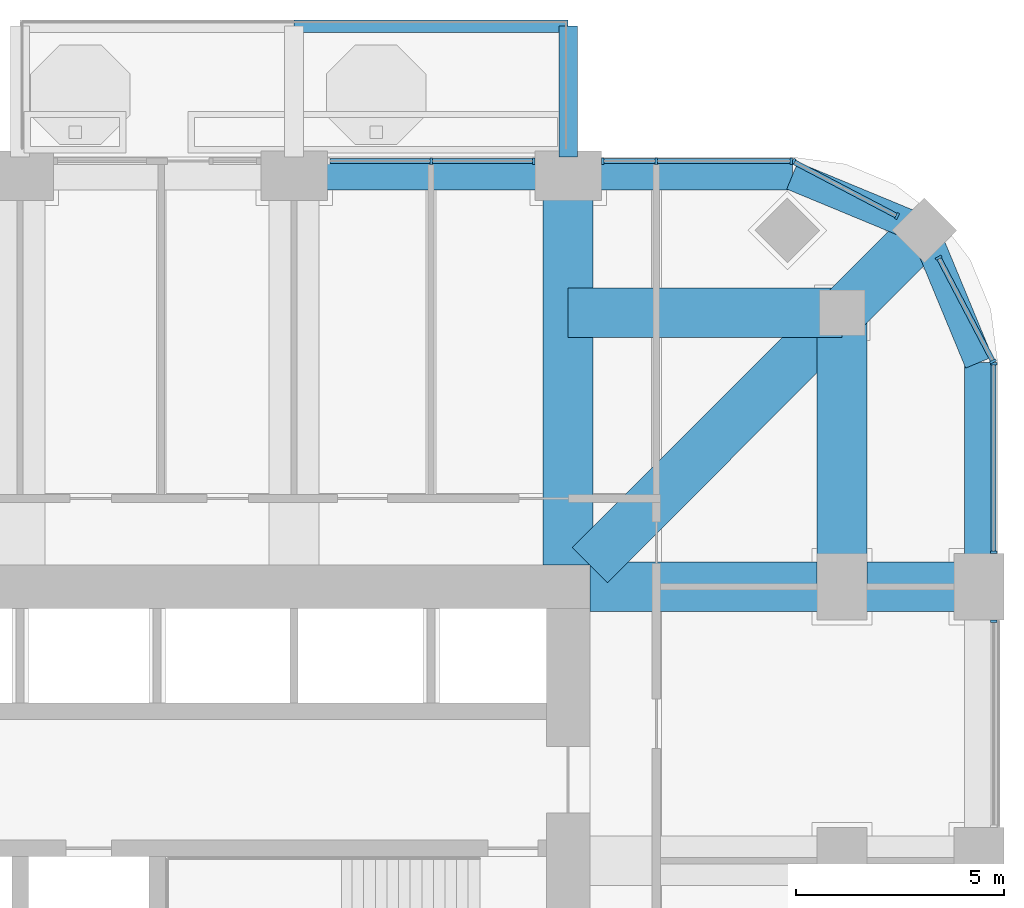
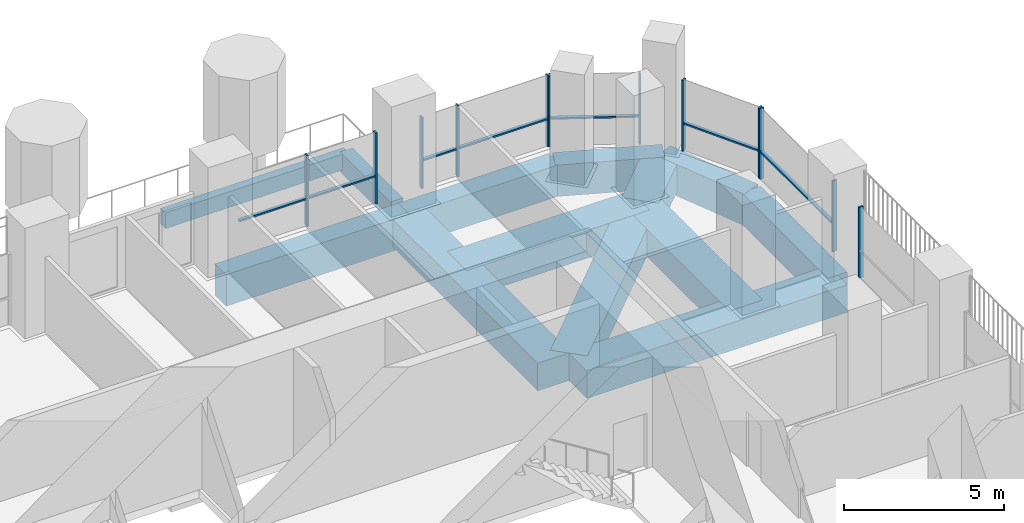
# One storey, part 7 of 19: 19 members, 13 beams, 6 elements without a shape of their own.
"""IFC4 building model written with IfcOpenShell, lengths in metres."""

from ifc_helpers import new_model, si_unit, direction, frame, origin, origin_2d, place, context, subcontext, project, spatial, rectangle, extrude, material, material_profile, profile_set, type_object, element, aggregate, save


model = new_model("IFC4")

# Units and contexts
model_context = context("Model", 3, precision=1e-05, world=origin(), true_north=direction((0.0, 1.0)))
body_context = subcontext(model_context, "Body", "Model", "MODEL_VIEW")
ifc_project = project(units=[si_unit("LENGTHUNIT", "METRE"), si_unit("AREAUNIT", "SQUARE_METRE"), si_unit("VOLUMEUNIT", "CUBIC_METRE"), si_unit("PLANEANGLEUNIT", "RADIAN"), si_unit("MASSUNIT", "GRAM", prefix="KILO")], contexts=[model_context])

# Site, building, storey
site_placement = place(None, origin())
site = spatial("IfcSite", under=ifc_project, at=site_placement, CompositionType="ELEMENT")
building_placement = place(site_placement, origin())
building = spatial("IfcBuilding", under=site, at=building_placement, Name="Cobogo Forest Laboratory Tower", CompositionType="ELEMENT")
storey_placement = place(building_placement, frame((0.0, 0.0, 172.5)))
storey = spatial("IfcBuildingStorey", under=building, at=storey_placement, Name="L39", CompositionType="ELEMENT", Elevation=172.5)

# Beams
ifc_material_1 = material(Name="Concrete HA-40 (C40/50)", Category="concrete")
ifc_material_profile_1 = material_profile(ifc_material_1, rectangle(XDim=0.449951171875, YDim=0.75, at=origin_2d()), Name="RC 450x750")
ifc_profile_set_1 = profile_set([ifc_material_profile_1], Name="Concrete HA-40 (C40/50)")
beam_type_1 = type_object("IfcBeamType", Name="Balcony cantilever beam 450x750", PredefinedType="BEAM", material=ifc_profile_set_1)
beam_1_placement = place(storey_placement, frame((39.60009765625, 43.35009765625, -0.625), z_axis=(0.0, 1.0, 0.0), x_axis=(-1.0, 0.0, 0.0)))
element("IfcBeam", 1, at=beam_1_placement, inside=storey, type_object=beam_type_1, Name="CB1 BAL-N1-C3 L39", PredefinedType="BEAM", context=body_context, shape_type="SweptSolid", body=[
    extrude(rectangle(XDim=0.449951171875, YDim=0.75, at=origin_2d()), origin(), (0.0, 0.0, 1.0), 3.14990234375),
])
ifc_material_profile_2 = material_profile(ifc_material_1, rectangle(XDim=0.300048828125, YDim=0.60009765625, at=origin_2d()), Name="RC 300x600")
ifc_profile_set_2 = profile_set([ifc_material_profile_2], Name="Concrete HA-40 (C40/50)")
beam_type_2 = type_object("IfcBeamType", Name="Balcony edge beam 300x600", PredefinedType="BEAM", material=ifc_profile_set_2)
beam_2_placement = place(storey_placement, frame((33.0, 46.5, -0.550048828125), z_axis=(1.0, 0.0, 0.0), x_axis=(0.0, 1.0, 0.0)))
element("IfcBeam", 2, at=beam_2_placement, inside=storey, type_object=beam_type_2, Name="BB1 BAL-N1-T2 L39", PredefinedType="BEAM", context=body_context, shape_type="SweptSolid", body=[
    extrude(rectangle(XDim=0.300048828125, YDim=0.60009765625, at=origin_2d()), origin(), (0.0, 0.0, 1.0), 6.60009765625),
])
ifc_material_profile_3 = material_profile(ifc_material_1, rectangle(XDim=1.199951171875, YDim=1.050048828125, at=origin_2d()), Name="RC 1200x1050")
ifc_profile_set_3 = profile_set([ifc_material_profile_3], Name="Concrete HA-40 (C40/50)")
beam_type_3 = type_object("IfcBeamType", Name="Laboratory floor wide beam 1200x1050", PredefinedType="BEAM", material=ifc_profile_set_3)
for number, where, z_axis, x_axis, name in (
    (3, (39.60009765625, 33.52490234375, -0.824951171875), (0.0, 1.0, 0.0), (-1.0, 0.0, 0.0), "RB1 R-7-N L39"),
    (4, (40.125, 33.0, -0.824951171875), (1.0, 0.0, 0.0), (0.0, 1.0, 0.0), "RB1 R-F-E L39"),
):
    element("IfcBeam", number, at=place(storey_placement, frame(where, z_axis=z_axis, x_axis=x_axis)), inside=storey, type_object=beam_type_3, Name=name, PredefinedType="BEAM", context=body_context, shape_type="SweptSolid", body=[
        extrude(rectangle(XDim=1.199951171875, YDim=1.050048828125, at=origin_2d()), origin(), (0.0, 0.0, 1.0), 9.375),
    ])
beam_3_placement = place(storey_placement, frame((46.199951171875, 39.60009765625, -0.824951171875), z_axis=(0.0, -1.0, 0.0), x_axis=(1.0, 0.0, 0.0)))
element("IfcBeam", 5, at=beam_3_placement, inside=storey, type_object=beam_type_3, Name="RB1 G-NE-XC L39", PredefinedType="BEAM", context=body_context, shape_type="SweptSolid", body=[
    extrude(rectangle(XDim=1.199951171875, YDim=1.050048828125, at=origin_2d()), origin(), (0.0, 0.0, 1.0), 6.60009765625),
])
beam_4_placement = place(storey_placement, frame((46.199951171875, 39.60009765625, -0.824951171875), z_axis=(-1.0, 0.0, 0.0), x_axis=(0.0, -1.0, 0.0)))
element("IfcBeam", 6, at=beam_4_placement, inside=storey, type_object=beam_type_3, Name="RB1 G-NE-YC L39", PredefinedType="BEAM", context=body_context, shape_type="SweptSolid", body=[
    extrude(rectangle(XDim=1.199951171875, YDim=1.050048828125, at=origin_2d()), origin(), (0.0, 0.0, 1.0), 6.599853515625),
])
beam_5_placement = place(storey_placement, frame((48.181884765625, 41.58203125, -0.824951171875), z_axis=(-0.707106781187, -0.707106781187, 0.0), x_axis=(0.707106781187, -0.707106781187, 0.0)))
element("IfcBeam", 7, at=beam_5_placement, inside=storey, type_object=beam_type_3, Name="RB1 G-NE-D1 L39", PredefinedType="BEAM", context=body_context, shape_type="SweptSolid", body=[
    extrude(rectangle(XDim=1.199951171875, YDim=1.050048828125, at=origin_2d()), origin(), (0.0, 0.0, 1.0), 2.802978515625),
])
beam_6_placement = place(storey_placement, frame((46.199951171875, 39.60009765625, -0.824951171875), z_axis=(-0.707092572697, -0.70712098939, 0.0), x_axis=(0.70712098939, -0.707092572697, 0.0)))
element("IfcBeam", 8, at=beam_6_placement, inside=storey, type_object=beam_type_3, Name="RB1 G-NE-D2 L39", PredefinedType="BEAM", context=body_context, shape_type="SweptSolid", body=[
    extrude(rectangle(XDim=1.199951171875, YDim=1.050048828125, at=origin_2d()), origin(), (0.0, 0.0, 1.0), 8.591552734375),
])

# Curtain wall, member
ifc_material_2 = material(Name="Aluminium curtain wall", Category="aluminium")
curtain_wall_type = type_object("IfcCurtainWallType", Name="CW-2 unitised curtain wall, solar control glazing, laboratory floors zones C and D", PredefinedType="USERDEFINED", material=ifc_material_2)
curtain_wall_1_placement = place(storey_placement, origin())
curtain_wall_1 = element("IfcCurtainWall", 9, at=curtain_wall_1_placement, inside=storey, type_object=curtain_wall_type, Name="Curtain wall 12 L39", ObjectType="UNITISED CURTAIN WALL", PredefinedType="USERDEFINED")
ifc_material_3 = material(Name="Aluminium mullion", Category="aluminium")
ifc_material_profile_4 = material_profile(ifc_material_3, rectangle(XDim=0.06005859375, YDim=0.159912109375, at=origin_2d()), Name="AL 60x160")
ifc_profile_set_4 = profile_set([ifc_material_profile_4], Name="Aluminium mullion")
member_type_1 = type_object("IfcMemberType", Name="MU-1 aluminium mullion 60x160", PredefinedType="MULLION", material=ifc_profile_set_4)
member_1_placement = place(storey_placement, frame((49.85009765625, 32.169921875, 0.0), z_axis=(0.0, 0.0, 1.0), x_axis=(0.0, 1.0, 0.0)))
member_1 = element("IfcMember", 10, at=member_1_placement, type_object=member_type_1, Name="CW-2 mullion 2", PredefinedType="MULLION", context=body_context, shape_type="SweptSolid", body=[
    extrude(rectangle(XDim=0.06005859375, YDim=0.159912109375, at=origin_2d()), origin(), (0.0, 0.0, 1.0), 2.699951171875),
])
aggregate(curtain_wall_1, [member_1])

# Curtain wall, members
curtain_wall_2_placement = place(storey_placement, origin())
curtain_wall_2 = element("IfcCurtainWall", 11, at=curtain_wall_2_placement, inside=storey, type_object=curtain_wall_type, Name="Curtain wall 13 L39", ObjectType="UNITISED CURTAIN WALL", PredefinedType="USERDEFINED")
member_2_placement = place(storey_placement, frame((49.85009765625, 33.830078125, 0.0), z_axis=(0.0, 0.0, 1.0), x_axis=(0.0, 1.0, 0.0)))
member_2 = element("IfcMember", 12, at=member_2_placement, type_object=member_type_1, Name="CW-2 mullion 1", PredefinedType="MULLION", context=body_context, shape_type="SweptSolid", body=[
    extrude(rectangle(XDim=0.06005859375, YDim=0.159912109375, at=origin_2d()), origin(), (0.0, 0.0, 1.0), 2.699951171875),
])
member_3_placement = place(storey_placement, frame((49.85009765625, 38.3701171875, 0.0), z_axis=(0.0, 0.0, 1.0), x_axis=(0.0, 1.0, 0.0)))
member_3 = element("IfcMember", 13, at=member_3_placement, type_object=member_type_1, Name="CW-2 mullion 2", PredefinedType="MULLION", context=body_context, shape_type="SweptSolid", body=[
    extrude(rectangle(XDim=0.06005859375, YDim=0.159912109375, at=origin_2d()), origin(), (0.0, 0.0, 1.0), 2.699951171875),
])

curtain_wall_3_placement = place(storey_placement, origin())
curtain_wall_3 = element("IfcCurtainWall", 14, at=curtain_wall_3_placement, inside=storey, type_object=curtain_wall_type, Name="Curtain wall 14 L39", ObjectType="UNITISED CURTAIN WALL", PredefinedType="USERDEFINED")
member_4_placement = place(storey_placement, frame((49.836181640625, 38.426513671875, 0.0), z_axis=(0.0, 0.0, 1.0), x_axis=(-0.464283804832, 0.885686484356, 0.0)))
member_4 = element("IfcMember", 15, at=member_4_placement, type_object=member_type_1, Name="CW-2 mullion 1", PredefinedType="MULLION", context=body_context, shape_type="SweptSolid", body=[
    extrude(rectangle(XDim=0.06005859375, YDim=0.159912109375, at=origin_2d()), origin(), (0.0, 0.0, 1.0), 2.699951171875),
])
member_5_placement = place(storey_placement, frame((48.526611328125, 40.924560546875, 0.0), z_axis=(0.0, 0.0, 1.0), x_axis=(-0.464283804832, 0.885686484356, 0.0)))
member_5 = element("IfcMember", 16, at=member_5_placement, type_object=member_type_1, Name="CW-2 mullion 2", PredefinedType="MULLION", context=body_context, shape_type="SweptSolid", body=[
    extrude(rectangle(XDim=0.06005859375, YDim=0.159912109375, at=origin_2d()), origin(), (0.0, 0.0, 1.0), 2.699951171875),
])

curtain_wall_4_placement = place(storey_placement, origin())
curtain_wall_4 = element("IfcCurtainWall", 17, at=curtain_wall_4_placement, inside=storey, type_object=curtain_wall_type, Name="Curtain wall 15 L39", ObjectType="UNITISED CURTAIN WALL", PredefinedType="USERDEFINED")
member_6_placement = place(storey_placement, frame((47.5244140625, 41.9267578125, 0.0), z_axis=(0.0, 0.0, 1.0), x_axis=(-0.885686484356, 0.464283804832, 0.0)))
member_6 = element("IfcMember", 18, at=member_6_placement, type_object=member_type_1, Name="CW-2 mullion 1", PredefinedType="MULLION", context=body_context, shape_type="SweptSolid", body=[
    extrude(rectangle(XDim=0.06005859375, YDim=0.159912109375, at=origin_2d()), origin(), (0.0, 0.0, 1.0), 2.699951171875),
])
member_7_placement = place(storey_placement, frame((45.026611328125, 43.236083984375, 0.0), z_axis=(0.0, 0.0, 1.0), x_axis=(-0.885686484356, 0.464283804832, 0.0)))
member_7 = element("IfcMember", 19, at=member_7_placement, type_object=member_type_1, Name="CW-2 mullion 2", PredefinedType="MULLION", context=body_context, shape_type="SweptSolid", body=[
    extrude(rectangle(XDim=0.06005859375, YDim=0.159912109375, at=origin_2d()), origin(), (0.0, 0.0, 1.0), 2.699951171875),
])

curtain_wall_5_placement = place(storey_placement, origin())
curtain_wall_5 = element("IfcCurtainWall", 20, at=curtain_wall_5_placement, inside=storey, type_object=curtain_wall_type, Name="Curtain wall 16 L39", ObjectType="UNITISED CURTAIN WALL", PredefinedType="USERDEFINED")
member_8_placement = place(storey_placement, frame((44.969970703125, 43.25, 0.0), z_axis=(0.0, 0.0, 1.0), x_axis=(-1.0, 0.0, 0.0)))
member_8 = element("IfcMember", 21, at=member_8_placement, type_object=member_type_1, Name="CW-2 mullion 1", PredefinedType="MULLION", context=body_context, shape_type="SweptSolid", body=[
    extrude(rectangle(XDim=0.06005859375, YDim=0.159912109375, at=origin_2d()), origin(), (0.0, 0.0, 1.0), 2.699951171875),
])
member_9_placement = place(storey_placement, frame((41.72509765625, 43.25, 0.0), z_axis=(0.0, 0.0, 1.0), x_axis=(-1.0, 0.0, 0.0)))
member_9 = element("IfcMember", 22, at=member_9_placement, type_object=member_type_1, Name="CW-2 mullion 2", PredefinedType="MULLION", context=body_context, shape_type="SweptSolid", body=[
    extrude(rectangle(XDim=0.06005859375, YDim=0.159912109375, at=origin_2d()), origin(), (0.0, 0.0, 1.0), 2.699951171875),
])
member_10_placement = place(storey_placement, frame((40.429931640625, 43.25, 0.0), z_axis=(0.0, 0.0, 1.0), x_axis=(-1.0, 0.0, 0.0)))
member_10 = element("IfcMember", 23, at=member_10_placement, type_object=member_type_1, Name="CW-2 mullion 3", PredefinedType="MULLION", context=body_context, shape_type="SweptSolid", body=[
    extrude(rectangle(XDim=0.06005859375, YDim=0.159912109375, at=origin_2d()), origin(), (0.0, 0.0, 1.0), 2.699951171875),
])

curtain_wall_6_placement = place(storey_placement, origin())
curtain_wall_6 = element("IfcCurtainWall", 24, at=curtain_wall_6_placement, inside=storey, type_object=curtain_wall_type, Name="Curtain wall 17 L39", ObjectType="UNITISED CURTAIN WALL", PredefinedType="USERDEFINED")
member_11_placement = place(storey_placement, frame((38.77001953125, 43.25, 0.0), z_axis=(0.0, 0.0, 1.0), x_axis=(-1.0, 0.0, 0.0)))
member_11 = element("IfcMember", 25, at=member_11_placement, type_object=member_type_1, Name="CW-2 mullion 1", PredefinedType="MULLION", context=body_context, shape_type="SweptSolid", body=[
    extrude(rectangle(XDim=0.06005859375, YDim=0.159912109375, at=origin_2d()), origin(), (0.0, 0.0, 1.0), 2.699951171875),
])
member_12_placement = place(storey_placement, frame((36.300048828125, 43.25, 0.0), z_axis=(0.0, 0.0, 1.0), x_axis=(-1.0, 0.0, 0.0)))
member_12 = element("IfcMember", 26, at=member_12_placement, type_object=member_type_1, Name="CW-2 mullion 2", PredefinedType="MULLION", context=body_context, shape_type="SweptSolid", body=[
    extrude(rectangle(XDim=0.06005859375, YDim=0.159912109375, at=origin_2d()), origin(), (0.0, 0.0, 1.0), 2.699951171875),
])

# Beams
ifc_material_profile_5 = material_profile(ifc_material_1, rectangle(XDim=0.699951171875, YDim=1.199951171875, at=origin_2d()), Name="RC 700x1200")
ifc_profile_set_5 = profile_set([ifc_material_profile_5], Name="Concrete HA-40 (C40/50)")
beam_type_4 = type_object("IfcBeamType", Name="Perimeter edge beam 700x1200", PredefinedType="BEAM", material=ifc_profile_set_5)
beam_7_placement = place(storey_placement, frame((33.0, 42.89990234375, -0.89990234375), z_axis=(1.0, 0.0, 0.0), x_axis=(0.0, 1.0, 0.0)))
element("IfcBeam", 27, at=beam_7_placement, inside=storey, type_object=beam_type_4, Name="EB1 E-N4 L39", PredefinedType="BEAM", context=body_context, shape_type="SweptSolid", body=[
    extrude(rectangle(XDim=0.699951171875, YDim=1.199951171875, at=origin_2d()), origin(), (0.0, 0.0, 1.0), 6.60009765625),
])
beam_8_placement = place(storey_placement, frame((49.5, 33.0, -0.89990234375), z_axis=(0.0, 1.0, 0.0), x_axis=(-1.0, 0.0, 0.0)))
element("IfcBeam", 28, at=beam_8_placement, inside=storey, type_object=beam_type_4, Name="EB1 E-NEE1 L39", PredefinedType="BEAM", context=body_context, shape_type="SweptSolid", body=[
    extrude(rectangle(XDim=0.699951171875, YDim=1.199951171875, at=origin_2d()), origin(), (0.0, 0.0, 1.0), 5.39990234375),
])
beam_9_placement = place(storey_placement, frame((49.5, 38.39990234375, -0.89990234375), z_axis=(-0.382691928466, 0.923876013265, 0.0), x_axis=(-0.923876013265, -0.382691928466, 0.0)))
element("IfcBeam", 29, at=beam_9_placement, inside=storey, type_object=beam_type_4, Name="EB1 E-NEE2 L39", PredefinedType="BEAM", context=body_context, shape_type="SweptSolid", body=[
    extrude(rectangle(XDim=0.699951171875, YDim=1.199951171875, at=origin_2d()), origin(), (0.0, 0.0, 1.0), 3.4443359375),
])
beam_10_placement = place(storey_placement, frame((39.60009765625, 42.89990234375, -0.89990234375), z_axis=(1.0, 0.0, 0.0), x_axis=(0.0, 1.0, 0.0)))
element("IfcBeam", 30, at=beam_10_placement, inside=storey, type_object=beam_type_4, Name="EB1 E-NEN1 L39", PredefinedType="BEAM", context=body_context, shape_type="SweptSolid", body=[
    extrude(rectangle(XDim=0.699951171875, YDim=1.199951171875, at=origin_2d()), origin(), (0.0, 0.0, 1.0), 5.39990234375),
])
beam_11_placement = place(storey_placement, frame((45.0, 42.89990234375, -0.89990234375), z_axis=(0.923890694089, -0.382656484822, 0.0), x_axis=(0.382656484822, 0.923890694089, 0.0)))
element("IfcBeam", 31, at=beam_11_placement, inside=storey, type_object=beam_type_4, Name="EB1 E-NEN2 L39", PredefinedType="BEAM", context=body_context, shape_type="SweptSolid", body=[
    extrude(rectangle(XDim=0.699951171875, YDim=1.199951171875, at=origin_2d()), origin(), (0.0, 0.0, 1.0), 3.444091796875),
])

# Member
ifc_material_4 = material(Name="Aluminium transom", Category="aluminium")
ifc_material_profile_6 = material_profile(ifc_material_4, rectangle(XDim=0.1201171875, YDim=0.06005859375, at=origin_2d()), Name="AL 60x120")
ifc_profile_set_6 = profile_set([ifc_material_profile_6], Name="Aluminium transom")
member_type_2 = type_object("IfcMemberType", Name="TR-1 aluminium transom 60x120", PredefinedType="USERDEFINED", material=ifc_profile_set_6)
member_13_placement = place(storey_placement, frame((49.85009765625, 33.860107421875, 1.050048828125), z_axis=(0.0, 1.0, 0.0), x_axis=(-1.0, 0.0, 0.0)))
member_13 = element("IfcMember", 32, at=member_13_placement, type_object=member_type_2, Name="CW-2 transom 1.1", ObjectType="TRANSOM", PredefinedType="USERDEFINED", context=body_context, shape_type="SweptSolid", body=[
    extrude(rectangle(XDim=0.1201171875, YDim=0.06005859375, at=origin_2d()), origin(), (0.0, 0.0, 1.0), 4.47998046875),
])

aggregate(curtain_wall_2, [member_2, member_3, member_13])

member_14_placement = place(storey_placement, frame((49.822021484375, 38.453125, 1.050048828125), z_axis=(-0.464254846591, 0.88570166389, 0.0), x_axis=(-0.88570166389, -0.464254846591, 0.0)))
member_14 = element("IfcMember", 33, at=member_14_placement, type_object=member_type_2, Name="CW-2 transom 1.1", ObjectType="TRANSOM", PredefinedType="USERDEFINED", context=body_context, shape_type="SweptSolid", body=[
    extrude(rectangle(XDim=0.1201171875, YDim=0.06005859375, at=origin_2d()), origin(), (0.0, 0.0, 1.0), 2.76025390625),
])

aggregate(curtain_wall_3, [member_4, member_5, member_14])

member_15_placement = place(storey_placement, frame((47.497802734375, 41.940673828125, 1.050048828125), z_axis=(-0.885682598583, 0.464291217414, 0.0), x_axis=(-0.464291217414, -0.885682598583, 0.0)))
member_15 = element("IfcMember", 34, at=member_15_placement, type_object=member_type_2, Name="CW-2 transom 1.1", ObjectType="TRANSOM", PredefinedType="USERDEFINED", context=body_context, shape_type="SweptSolid", body=[
    extrude(rectangle(XDim=0.1201171875, YDim=0.06005859375, at=origin_2d()), origin(), (0.0, 0.0, 1.0), 2.760009765625),
])

aggregate(curtain_wall_4, [member_6, member_7, member_15])

member_16_placement = place(storey_placement, frame((44.93994140625, 43.25, 1.050048828125), z_axis=(-1.0, 0.0, 0.0), x_axis=(0.0, -1.0, 0.0)))
member_16 = element("IfcMember", 35, at=member_16_placement, type_object=member_type_2, Name="CW-2 transom 1.1", ObjectType="TRANSOM", PredefinedType="USERDEFINED", context=body_context, shape_type="SweptSolid", body=[
    extrude(rectangle(XDim=0.1201171875, YDim=0.06005859375, at=origin_2d()), origin(), (0.0, 0.0, 1.0), 3.18505859375),
])

member_17_placement = place(storey_placement, frame((41.695068359375, 43.25, 1.050048828125), z_axis=(-1.0, 0.0, 0.0), x_axis=(0.0, -1.0, 0.0)))
member_17 = element("IfcMember", 36, at=member_17_placement, type_object=member_type_2, Name="CW-2 transom 2.1", ObjectType="TRANSOM", PredefinedType="USERDEFINED", context=body_context, shape_type="SweptSolid", body=[
    extrude(rectangle(XDim=0.1201171875, YDim=0.06005859375, at=origin_2d()), origin(), (0.0, 0.0, 1.0), 1.235107421875),
])

aggregate(curtain_wall_5, [member_8, member_9, member_10, member_16, member_17])

member_18_placement = place(storey_placement, frame((38.739990234375, 43.25, 1.050048828125), z_axis=(-1.0, 0.0, 0.0), x_axis=(0.0, -1.0, 0.0)))
member_18 = element("IfcMember", 37, at=member_18_placement, type_object=member_type_2, Name="CW-2 transom 1.1", ObjectType="TRANSOM", PredefinedType="USERDEFINED", context=body_context, shape_type="SweptSolid", body=[
    extrude(rectangle(XDim=0.1201171875, YDim=0.06005859375, at=origin_2d()), origin(), (0.0, 0.0, 1.0), 2.409912109375),
])

member_19_placement = place(storey_placement, frame((36.27001953125, 43.25, 1.050048828125), z_axis=(-1.0, 0.0, 0.0), x_axis=(0.0, -1.0, 0.0)))
member_19 = element("IfcMember", 38, at=member_19_placement, type_object=member_type_2, Name="CW-2 transom 2.1", ObjectType="TRANSOM", PredefinedType="USERDEFINED", context=body_context, shape_type="SweptSolid", body=[
    extrude(rectangle(XDim=0.1201171875, YDim=0.06005859375, at=origin_2d()), origin(), (0.0, 0.0, 1.0), 2.409912109375),
])

aggregate(curtain_wall_6, [member_11, member_12, member_18, member_19])

save(model, "model.ifc")
